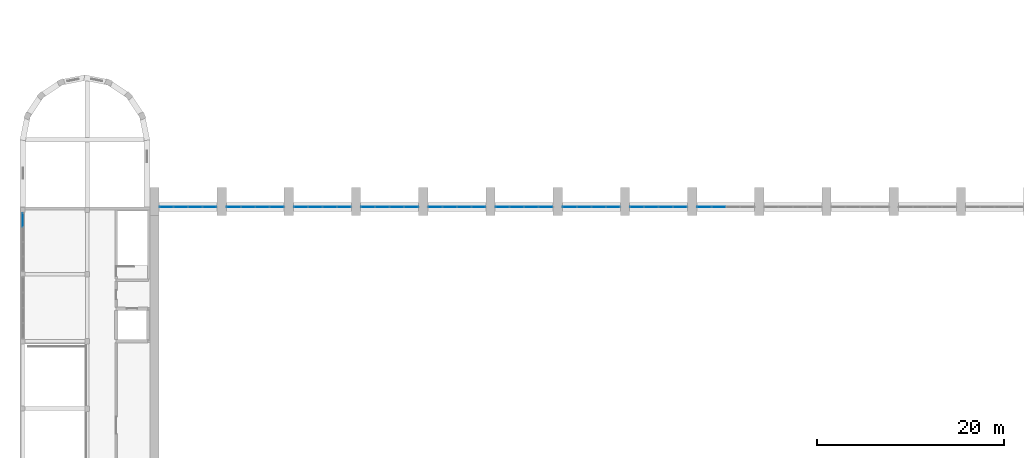
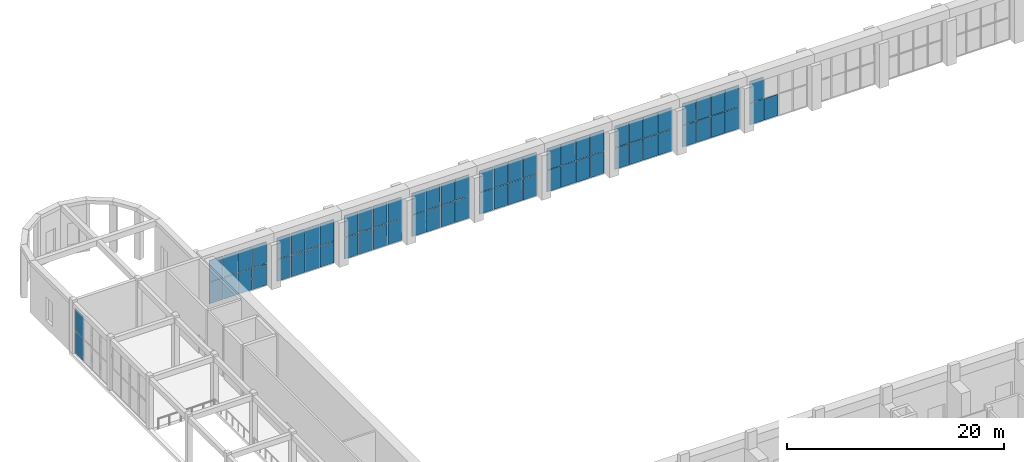
# One storey, part 21 of 44: 69 plates, 10 elements without a shape of their own.
"""IFC4 building model written with IfcOpenShell, lengths in metres."""

from ifc_helpers import new_model, si_unit, direction, frame, origin, origin_2d, place, context, subcontext, project, spatial, rectangle, extrude, material, layer, layer_set, type_object, element, aggregate, save


model = new_model("IFC4")

# Units and contexts
model_context = context("Model", 3, precision=1e-05, world=origin(), true_north=direction((0.0, 1.0)))
body_context = subcontext(model_context, "Body", "Model", "MODEL_VIEW")
ifc_project = project(units=[si_unit("LENGTHUNIT", "METRE"), si_unit("AREAUNIT", "SQUARE_METRE"), si_unit("VOLUMEUNIT", "CUBIC_METRE"), si_unit("PLANEANGLEUNIT", "RADIAN"), si_unit("MASSUNIT", "GRAM", prefix="KILO")], contexts=[model_context])

# Site, building, storey
site_placement = place(None, origin())
site = spatial("IfcSite", under=ifc_project, at=site_placement, CompositionType="ELEMENT")
building_placement = place(site_placement, origin())
building = spatial("IfcBuilding", under=site, at=building_placement, Name="Vermilion Court Aquatics Centre", CompositionType="ELEMENT")
storey_placement = place(building_placement, frame((0.0, 0.0, 6.0)))
storey = spatial("IfcBuildingStorey", under=building, at=storey_placement, Name="L01", CompositionType="ELEMENT", Elevation=6.0)

# Curtain wall, plates
ifc_material_1 = material(Name="Aluminium 6063-T5", Category="aluminium")
curtain_wall_type_1 = type_object("IfcCurtainWallType", Name="Envelope curtain wall hall clerestory L01", PredefinedType="NOTDEFINED", material=ifc_material_1)
curtain_wall_1_placement = place(storey_placement, origin())
curtain_wall_1 = element("IfcCurtainWall", 1, at=curtain_wall_1_placement, inside=storey, type_object=curtain_wall_type_1, Name="Hall clerestory bay 1 L01", PredefinedType="NOTDEFINED")
ifc_material_2 = material(Name="Glazing", Category="glass")
ifc_layer_1 = layer(ifc_material_2, 0.06005859375)
ifc_layer_set_1 = layer_set([ifc_layer_1], Name="Envelope laminated glazing panel 60")
plate_type_1 = type_object("IfcPlateType", Name="Envelope laminated glazing panel 60", PredefinedType="CURTAIN_PANEL", material=ifc_layer_set_1)
plate_1_placement = place(storey_placement, frame((15.68994140625, 64.800048828125, 0.06005859375), z_axis=(0.0, 0.0, 1.0), x_axis=(1.0, 0.0, 0.0)))
plate_1 = element("IfcPlate", 2, at=plate_1_placement, type_object=plate_type_1, Name="ECW2 panel 1.1", PredefinedType="CURTAIN_PANEL", context=body_context, shape_type="SweptSolid", body=[
    extrude(rectangle(XDim=1.4599609375, YDim=0.06005859375, at=origin_2d()), origin(), (0.0, 0.0, 1.0), 2.409912109375),
])
plate_2_placement = place(storey_placement, frame((15.68994140625, 64.800048828125, 2.5302734375), z_axis=(0.0, 0.0, 1.0), x_axis=(1.0, 0.0, 0.0)))
plate_2 = element("IfcPlate", 3, at=plate_2_placement, type_object=plate_type_1, Name="ECW2 panel 1.2", PredefinedType="CURTAIN_PANEL", context=body_context, shape_type="SweptSolid", body=[
    extrude(rectangle(XDim=1.4599609375, YDim=0.06005859375, at=origin_2d()), origin(), (0.0, 0.0, 1.0), 2.409912109375),
])
plate_3_placement = place(storey_placement, frame((17.22509765625, 64.800048828125, 0.06005859375), z_axis=(0.0, 0.0, 1.0), x_axis=(1.0, 0.0, 0.0)))
plate_3 = element("IfcPlate", 4, at=plate_3_placement, type_object=plate_type_1, Name="ECW2 panel 2.1", PredefinedType="CURTAIN_PANEL", context=body_context, shape_type="SweptSolid", body=[
    extrude(rectangle(XDim=1.489990234375, YDim=0.06005859375, at=origin_2d()), origin(), (0.0, 0.0, 1.0), 2.409912109375),
])
plate_4_placement = place(storey_placement, frame((17.22509765625, 64.800048828125, 2.5302734375), z_axis=(0.0, 0.0, 1.0), x_axis=(1.0, 0.0, 0.0)))
plate_4 = element("IfcPlate", 5, at=plate_4_placement, type_object=plate_type_1, Name="ECW2 panel 2.2", PredefinedType="CURTAIN_PANEL", context=body_context, shape_type="SweptSolid", body=[
    extrude(rectangle(XDim=1.489990234375, YDim=0.06005859375, at=origin_2d()), origin(), (0.0, 0.0, 1.0), 2.409912109375),
])
plate_5_placement = place(storey_placement, frame((18.77490234375, 64.800048828125, 0.06005859375), z_axis=(0.0, 0.0, 1.0), x_axis=(1.0, 0.0, 0.0)))
plate_5 = element("IfcPlate", 6, at=plate_5_placement, type_object=plate_type_1, Name="ECW2 panel 3.1", PredefinedType="CURTAIN_PANEL", context=body_context, shape_type="SweptSolid", body=[
    extrude(rectangle(XDim=1.489990234375, YDim=0.06005859375, at=origin_2d()), origin(), (0.0, 0.0, 1.0), 2.409912109375),
])
plate_6_placement = place(storey_placement, frame((18.77490234375, 64.800048828125, 2.5302734375), z_axis=(0.0, 0.0, 1.0), x_axis=(1.0, 0.0, 0.0)))
plate_6 = element("IfcPlate", 7, at=plate_6_placement, type_object=plate_type_1, Name="ECW2 panel 3.2", PredefinedType="CURTAIN_PANEL", context=body_context, shape_type="SweptSolid", body=[
    extrude(rectangle(XDim=1.489990234375, YDim=0.06005859375, at=origin_2d()), origin(), (0.0, 0.0, 1.0), 2.409912109375),
])
plate_7_placement = place(storey_placement, frame((20.31005859375, 64.800048828125, 0.06005859375), z_axis=(0.0, 0.0, 1.0), x_axis=(1.0, 0.0, 0.0)))
plate_7 = element("IfcPlate", 8, at=plate_7_placement, type_object=plate_type_1, Name="ECW2 panel 4.1", PredefinedType="CURTAIN_PANEL", context=body_context, shape_type="SweptSolid", body=[
    extrude(rectangle(XDim=1.4599609375, YDim=0.06005859375, at=origin_2d()), origin(), (0.0, 0.0, 1.0), 2.409912109375),
])
plate_8_placement = place(storey_placement, frame((20.31005859375, 64.800048828125, 2.5302734375), z_axis=(0.0, 0.0, 1.0), x_axis=(1.0, 0.0, 0.0)))
plate_8 = element("IfcPlate", 9, at=plate_8_placement, type_object=plate_type_1, Name="ECW2 panel 4.2", PredefinedType="CURTAIN_PANEL", context=body_context, shape_type="SweptSolid", body=[
    extrude(rectangle(XDim=1.4599609375, YDim=0.06005859375, at=origin_2d()), origin(), (0.0, 0.0, 1.0), 2.409912109375),
])
aggregate(curtain_wall_1, [plate_1, plate_2, plate_3, plate_4, plate_5, plate_6, plate_7, plate_8])

curtain_wall_2_placement = place(storey_placement, origin())
curtain_wall_2 = element("IfcCurtainWall", 10, at=curtain_wall_2_placement, inside=storey, type_object=curtain_wall_type_1, Name="Hall clerestory bay 2 L01", PredefinedType="NOTDEFINED")
plate_9_placement = place(storey_placement, frame((22.889892578125, 64.800048828125, 0.06005859375), z_axis=(0.0, 0.0, 1.0), x_axis=(1.0, 0.0, 0.0)))
plate_9 = element("IfcPlate", 11, at=plate_9_placement, type_object=plate_type_1, Name="ECW2 panel 1.1", PredefinedType="CURTAIN_PANEL", context=body_context, shape_type="SweptSolid", body=[
    extrude(rectangle(XDim=1.4599609375, YDim=0.06005859375, at=origin_2d()), origin(), (0.0, 0.0, 1.0), 2.409912109375),
])
plate_10_placement = place(storey_placement, frame((22.889892578125, 64.800048828125, 2.5302734375), z_axis=(0.0, 0.0, 1.0), x_axis=(1.0, 0.0, 0.0)))
plate_10 = element("IfcPlate", 12, at=plate_10_placement, type_object=plate_type_1, Name="ECW2 panel 1.2", PredefinedType="CURTAIN_PANEL", context=body_context, shape_type="SweptSolid", body=[
    extrude(rectangle(XDim=1.4599609375, YDim=0.06005859375, at=origin_2d()), origin(), (0.0, 0.0, 1.0), 2.409912109375),
])
plate_11_placement = place(storey_placement, frame((24.425048828125, 64.800048828125, 0.06005859375), z_axis=(0.0, 0.0, 1.0), x_axis=(1.0, 0.0, 0.0)))
plate_11 = element("IfcPlate", 13, at=plate_11_placement, type_object=plate_type_1, Name="ECW2 panel 2.1", PredefinedType="CURTAIN_PANEL", context=body_context, shape_type="SweptSolid", body=[
    extrude(rectangle(XDim=1.489990234375, YDim=0.06005859375, at=origin_2d()), origin(), (0.0, 0.0, 1.0), 2.409912109375),
])
plate_12_placement = place(storey_placement, frame((24.425048828125, 64.800048828125, 2.5302734375), z_axis=(0.0, 0.0, 1.0), x_axis=(1.0, 0.0, 0.0)))
plate_12 = element("IfcPlate", 14, at=plate_12_placement, type_object=plate_type_1, Name="ECW2 panel 2.2", PredefinedType="CURTAIN_PANEL", context=body_context, shape_type="SweptSolid", body=[
    extrude(rectangle(XDim=1.489990234375, YDim=0.06005859375, at=origin_2d()), origin(), (0.0, 0.0, 1.0), 2.409912109375),
])
plate_13_placement = place(storey_placement, frame((25.97509765625, 64.800048828125, 0.06005859375), z_axis=(0.0, 0.0, 1.0), x_axis=(1.0, 0.0, 0.0)))
plate_13 = element("IfcPlate", 15, at=plate_13_placement, type_object=plate_type_1, Name="ECW2 panel 3.1", PredefinedType="CURTAIN_PANEL", context=body_context, shape_type="SweptSolid", body=[
    extrude(rectangle(XDim=1.489990234375, YDim=0.06005859375, at=origin_2d()), origin(), (0.0, 0.0, 1.0), 2.409912109375),
])
plate_14_placement = place(storey_placement, frame((25.97509765625, 64.800048828125, 2.5302734375), z_axis=(0.0, 0.0, 1.0), x_axis=(1.0, 0.0, 0.0)))
plate_14 = element("IfcPlate", 16, at=plate_14_placement, type_object=plate_type_1, Name="ECW2 panel 3.2", PredefinedType="CURTAIN_PANEL", context=body_context, shape_type="SweptSolid", body=[
    extrude(rectangle(XDim=1.489990234375, YDim=0.06005859375, at=origin_2d()), origin(), (0.0, 0.0, 1.0), 2.409912109375),
])
plate_15_placement = place(storey_placement, frame((27.510009765625, 64.800048828125, 0.06005859375), z_axis=(0.0, 0.0, 1.0), x_axis=(1.0, 0.0, 0.0)))
plate_15 = element("IfcPlate", 17, at=plate_15_placement, type_object=plate_type_1, Name="ECW2 panel 4.1", PredefinedType="CURTAIN_PANEL", context=body_context, shape_type="SweptSolid", body=[
    extrude(rectangle(XDim=1.4599609375, YDim=0.06005859375, at=origin_2d()), origin(), (0.0, 0.0, 1.0), 2.409912109375),
])
plate_16_placement = place(storey_placement, frame((27.510009765625, 64.800048828125, 2.5302734375), z_axis=(0.0, 0.0, 1.0), x_axis=(1.0, 0.0, 0.0)))
plate_16 = element("IfcPlate", 18, at=plate_16_placement, type_object=plate_type_1, Name="ECW2 panel 4.2", PredefinedType="CURTAIN_PANEL", context=body_context, shape_type="SweptSolid", body=[
    extrude(rectangle(XDim=1.4599609375, YDim=0.06005859375, at=origin_2d()), origin(), (0.0, 0.0, 1.0), 2.409912109375),
])
aggregate(curtain_wall_2, [plate_9, plate_10, plate_11, plate_12, plate_13, plate_14, plate_15, plate_16])

curtain_wall_3_placement = place(storey_placement, origin())
curtain_wall_3 = element("IfcCurtainWall", 19, at=curtain_wall_3_placement, inside=storey, type_object=curtain_wall_type_1, Name="Hall clerestory bay 3 L01", PredefinedType="NOTDEFINED")
plate_17_placement = place(storey_placement, frame((30.090087890625, 64.800048828125, 0.06005859375), z_axis=(0.0, 0.0, 1.0), x_axis=(1.0, 0.0, 0.0)))
plate_17 = element("IfcPlate", 20, at=plate_17_placement, type_object=plate_type_1, Name="ECW2 panel 1.1", PredefinedType="CURTAIN_PANEL", context=body_context, shape_type="SweptSolid", body=[
    extrude(rectangle(XDim=1.4599609375, YDim=0.06005859375, at=origin_2d()), origin(), (0.0, 0.0, 1.0), 2.409912109375),
])
plate_18_placement = place(storey_placement, frame((30.090087890625, 64.800048828125, 2.5302734375), z_axis=(0.0, 0.0, 1.0), x_axis=(1.0, 0.0, 0.0)))
plate_18 = element("IfcPlate", 21, at=plate_18_placement, type_object=plate_type_1, Name="ECW2 panel 1.2", PredefinedType="CURTAIN_PANEL", context=body_context, shape_type="SweptSolid", body=[
    extrude(rectangle(XDim=1.4599609375, YDim=0.06005859375, at=origin_2d()), origin(), (0.0, 0.0, 1.0), 2.409912109375),
])
plate_19_placement = place(storey_placement, frame((31.625, 64.800048828125, 0.06005859375), z_axis=(0.0, 0.0, 1.0), x_axis=(1.0, 0.0, 0.0)))
plate_19 = element("IfcPlate", 22, at=plate_19_placement, type_object=plate_type_1, Name="ECW2 panel 2.1", PredefinedType="CURTAIN_PANEL", context=body_context, shape_type="SweptSolid", body=[
    extrude(rectangle(XDim=1.489990234375, YDim=0.06005859375, at=origin_2d()), origin(), (0.0, 0.0, 1.0), 2.409912109375),
])
plate_20_placement = place(storey_placement, frame((31.625, 64.800048828125, 2.5302734375), z_axis=(0.0, 0.0, 1.0), x_axis=(1.0, 0.0, 0.0)))
plate_20 = element("IfcPlate", 23, at=plate_20_placement, type_object=plate_type_1, Name="ECW2 panel 2.2", PredefinedType="CURTAIN_PANEL", context=body_context, shape_type="SweptSolid", body=[
    extrude(rectangle(XDim=1.489990234375, YDim=0.06005859375, at=origin_2d()), origin(), (0.0, 0.0, 1.0), 2.409912109375),
])
plate_21_placement = place(storey_placement, frame((33.175048828125, 64.800048828125, 0.06005859375), z_axis=(0.0, 0.0, 1.0), x_axis=(1.0, 0.0, 0.0)))
plate_21 = element("IfcPlate", 24, at=plate_21_placement, type_object=plate_type_1, Name="ECW2 panel 3.1", PredefinedType="CURTAIN_PANEL", context=body_context, shape_type="SweptSolid", body=[
    extrude(rectangle(XDim=1.489990234375, YDim=0.06005859375, at=origin_2d()), origin(), (0.0, 0.0, 1.0), 2.409912109375),
])
plate_22_placement = place(storey_placement, frame((33.175048828125, 64.800048828125, 2.5302734375), z_axis=(0.0, 0.0, 1.0), x_axis=(1.0, 0.0, 0.0)))
plate_22 = element("IfcPlate", 25, at=plate_22_placement, type_object=plate_type_1, Name="ECW2 panel 3.2", PredefinedType="CURTAIN_PANEL", context=body_context, shape_type="SweptSolid", body=[
    extrude(rectangle(XDim=1.489990234375, YDim=0.06005859375, at=origin_2d()), origin(), (0.0, 0.0, 1.0), 2.409912109375),
])
plate_23_placement = place(storey_placement, frame((34.7099609375, 64.800048828125, 0.06005859375), z_axis=(0.0, 0.0, 1.0), x_axis=(1.0, 0.0, 0.0)))
plate_23 = element("IfcPlate", 26, at=plate_23_placement, type_object=plate_type_1, Name="ECW2 panel 4.1", PredefinedType="CURTAIN_PANEL", context=body_context, shape_type="SweptSolid", body=[
    extrude(rectangle(XDim=1.4599609375, YDim=0.06005859375, at=origin_2d()), origin(), (0.0, 0.0, 1.0), 2.409912109375),
])
plate_24_placement = place(storey_placement, frame((34.7099609375, 64.800048828125, 2.5302734375), z_axis=(0.0, 0.0, 1.0), x_axis=(1.0, 0.0, 0.0)))
plate_24 = element("IfcPlate", 27, at=plate_24_placement, type_object=plate_type_1, Name="ECW2 panel 4.2", PredefinedType="CURTAIN_PANEL", context=body_context, shape_type="SweptSolid", body=[
    extrude(rectangle(XDim=1.4599609375, YDim=0.06005859375, at=origin_2d()), origin(), (0.0, 0.0, 1.0), 2.409912109375),
])
aggregate(curtain_wall_3, [plate_17, plate_18, plate_19, plate_20, plate_21, plate_22, plate_23, plate_24])

curtain_wall_4_placement = place(storey_placement, origin())
curtain_wall_4 = element("IfcCurtainWall", 28, at=curtain_wall_4_placement, inside=storey, type_object=curtain_wall_type_1, Name="Hall clerestory bay 4 L01", PredefinedType="NOTDEFINED")
plate_25_placement = place(storey_placement, frame((37.2900390625, 64.800048828125, 0.06005859375), z_axis=(0.0, 0.0, 1.0), x_axis=(1.0, 0.0, 0.0)))
plate_25 = element("IfcPlate", 29, at=plate_25_placement, type_object=plate_type_1, Name="ECW2 panel 1.1", PredefinedType="CURTAIN_PANEL", context=body_context, shape_type="SweptSolid", body=[
    extrude(rectangle(XDim=1.4599609375, YDim=0.06005859375, at=origin_2d()), origin(), (0.0, 0.0, 1.0), 2.409912109375),
])
plate_26_placement = place(storey_placement, frame((37.2900390625, 64.800048828125, 2.5302734375), z_axis=(0.0, 0.0, 1.0), x_axis=(1.0, 0.0, 0.0)))
plate_26 = element("IfcPlate", 30, at=plate_26_placement, type_object=plate_type_1, Name="ECW2 panel 1.2", PredefinedType="CURTAIN_PANEL", context=body_context, shape_type="SweptSolid", body=[
    extrude(rectangle(XDim=1.4599609375, YDim=0.06005859375, at=origin_2d()), origin(), (0.0, 0.0, 1.0), 2.409912109375),
])
plate_27_placement = place(storey_placement, frame((38.824951171875, 64.800048828125, 0.06005859375), z_axis=(0.0, 0.0, 1.0), x_axis=(1.0, 0.0, 0.0)))
plate_27 = element("IfcPlate", 31, at=plate_27_placement, type_object=plate_type_1, Name="ECW2 panel 2.1", PredefinedType="CURTAIN_PANEL", context=body_context, shape_type="SweptSolid", body=[
    extrude(rectangle(XDim=1.489990234375, YDim=0.06005859375, at=origin_2d()), origin(), (0.0, 0.0, 1.0), 2.409912109375),
])
plate_28_placement = place(storey_placement, frame((38.824951171875, 64.800048828125, 2.5302734375), z_axis=(0.0, 0.0, 1.0), x_axis=(1.0, 0.0, 0.0)))
plate_28 = element("IfcPlate", 32, at=plate_28_placement, type_object=plate_type_1, Name="ECW2 panel 2.2", PredefinedType="CURTAIN_PANEL", context=body_context, shape_type="SweptSolid", body=[
    extrude(rectangle(XDim=1.489990234375, YDim=0.06005859375, at=origin_2d()), origin(), (0.0, 0.0, 1.0), 2.409912109375),
])
plate_29_placement = place(storey_placement, frame((40.375, 64.800048828125, 0.06005859375), z_axis=(0.0, 0.0, 1.0), x_axis=(1.0, 0.0, 0.0)))
plate_29 = element("IfcPlate", 33, at=plate_29_placement, type_object=plate_type_1, Name="ECW2 panel 3.1", PredefinedType="CURTAIN_PANEL", context=body_context, shape_type="SweptSolid", body=[
    extrude(rectangle(XDim=1.489990234375, YDim=0.06005859375, at=origin_2d()), origin(), (0.0, 0.0, 1.0), 2.409912109375),
])
plate_30_placement = place(storey_placement, frame((40.375, 64.800048828125, 2.5302734375), z_axis=(0.0, 0.0, 1.0), x_axis=(1.0, 0.0, 0.0)))
plate_30 = element("IfcPlate", 34, at=plate_30_placement, type_object=plate_type_1, Name="ECW2 panel 3.2", PredefinedType="CURTAIN_PANEL", context=body_context, shape_type="SweptSolid", body=[
    extrude(rectangle(XDim=1.489990234375, YDim=0.06005859375, at=origin_2d()), origin(), (0.0, 0.0, 1.0), 2.409912109375),
])
plate_31_placement = place(storey_placement, frame((41.909912109375, 64.800048828125, 0.06005859375), z_axis=(0.0, 0.0, 1.0), x_axis=(1.0, 0.0, 0.0)))
plate_31 = element("IfcPlate", 35, at=plate_31_placement, type_object=plate_type_1, Name="ECW2 panel 4.1", PredefinedType="CURTAIN_PANEL", context=body_context, shape_type="SweptSolid", body=[
    extrude(rectangle(XDim=1.4599609375, YDim=0.06005859375, at=origin_2d()), origin(), (0.0, 0.0, 1.0), 2.409912109375),
])
plate_32_placement = place(storey_placement, frame((41.909912109375, 64.800048828125, 2.5302734375), z_axis=(0.0, 0.0, 1.0), x_axis=(1.0, 0.0, 0.0)))
plate_32 = element("IfcPlate", 36, at=plate_32_placement, type_object=plate_type_1, Name="ECW2 panel 4.2", PredefinedType="CURTAIN_PANEL", context=body_context, shape_type="SweptSolid", body=[
    extrude(rectangle(XDim=1.4599609375, YDim=0.06005859375, at=origin_2d()), origin(), (0.0, 0.0, 1.0), 2.409912109375),
])
aggregate(curtain_wall_4, [plate_25, plate_26, plate_27, plate_28, plate_29, plate_30, plate_31, plate_32])

curtain_wall_5_placement = place(storey_placement, origin())
curtain_wall_5 = element("IfcCurtainWall", 37, at=curtain_wall_5_placement, inside=storey, type_object=curtain_wall_type_1, Name="Hall clerestory bay 5 L01", PredefinedType="NOTDEFINED")
plate_33_placement = place(storey_placement, frame((44.489990234375, 64.800048828125, 0.06005859375), z_axis=(0.0, 0.0, 1.0), x_axis=(1.0, 0.0, 0.0)))
plate_33 = element("IfcPlate", 38, at=plate_33_placement, type_object=plate_type_1, Name="ECW2 panel 1.1", PredefinedType="CURTAIN_PANEL", context=body_context, shape_type="SweptSolid", body=[
    extrude(rectangle(XDim=1.4599609375, YDim=0.06005859375, at=origin_2d()), origin(), (0.0, 0.0, 1.0), 2.409912109375),
])
plate_34_placement = place(storey_placement, frame((44.489990234375, 64.800048828125, 2.5302734375), z_axis=(0.0, 0.0, 1.0), x_axis=(1.0, 0.0, 0.0)))
plate_34 = element("IfcPlate", 39, at=plate_34_placement, type_object=plate_type_1, Name="ECW2 panel 1.2", PredefinedType="CURTAIN_PANEL", context=body_context, shape_type="SweptSolid", body=[
    extrude(rectangle(XDim=1.4599609375, YDim=0.06005859375, at=origin_2d()), origin(), (0.0, 0.0, 1.0), 2.409912109375),
])
plate_35_placement = place(storey_placement, frame((46.02490234375, 64.800048828125, 0.06005859375), z_axis=(0.0, 0.0, 1.0), x_axis=(1.0, 0.0, 0.0)))
plate_35 = element("IfcPlate", 40, at=plate_35_placement, type_object=plate_type_1, Name="ECW2 panel 2.1", PredefinedType="CURTAIN_PANEL", context=body_context, shape_type="SweptSolid", body=[
    extrude(rectangle(XDim=1.489990234375, YDim=0.06005859375, at=origin_2d()), origin(), (0.0, 0.0, 1.0), 2.409912109375),
])
plate_36_placement = place(storey_placement, frame((46.02490234375, 64.800048828125, 2.5302734375), z_axis=(0.0, 0.0, 1.0), x_axis=(1.0, 0.0, 0.0)))
plate_36 = element("IfcPlate", 41, at=plate_36_placement, type_object=plate_type_1, Name="ECW2 panel 2.2", PredefinedType="CURTAIN_PANEL", context=body_context, shape_type="SweptSolid", body=[
    extrude(rectangle(XDim=1.489990234375, YDim=0.06005859375, at=origin_2d()), origin(), (0.0, 0.0, 1.0), 2.409912109375),
])
plate_37_placement = place(storey_placement, frame((47.574951171875, 64.800048828125, 0.06005859375), z_axis=(0.0, 0.0, 1.0), x_axis=(1.0, 0.0, 0.0)))
plate_37 = element("IfcPlate", 42, at=plate_37_placement, type_object=plate_type_1, Name="ECW2 panel 3.1", PredefinedType="CURTAIN_PANEL", context=body_context, shape_type="SweptSolid", body=[
    extrude(rectangle(XDim=1.489990234375, YDim=0.06005859375, at=origin_2d()), origin(), (0.0, 0.0, 1.0), 2.409912109375),
])
plate_38_placement = place(storey_placement, frame((47.574951171875, 64.800048828125, 2.5302734375), z_axis=(0.0, 0.0, 1.0), x_axis=(1.0, 0.0, 0.0)))
plate_38 = element("IfcPlate", 43, at=plate_38_placement, type_object=plate_type_1, Name="ECW2 panel 3.2", PredefinedType="CURTAIN_PANEL", context=body_context, shape_type="SweptSolid", body=[
    extrude(rectangle(XDim=1.489990234375, YDim=0.06005859375, at=origin_2d()), origin(), (0.0, 0.0, 1.0), 2.409912109375),
])
plate_39_placement = place(storey_placement, frame((49.110107421875, 64.800048828125, 0.06005859375), z_axis=(0.0, 0.0, 1.0), x_axis=(1.0, 0.0, 0.0)))
plate_39 = element("IfcPlate", 44, at=plate_39_placement, type_object=plate_type_1, Name="ECW2 panel 4.1", PredefinedType="CURTAIN_PANEL", context=body_context, shape_type="SweptSolid", body=[
    extrude(rectangle(XDim=1.4599609375, YDim=0.06005859375, at=origin_2d()), origin(), (0.0, 0.0, 1.0), 2.409912109375),
])
plate_40_placement = place(storey_placement, frame((49.110107421875, 64.800048828125, 2.5302734375), z_axis=(0.0, 0.0, 1.0), x_axis=(1.0, 0.0, 0.0)))
plate_40 = element("IfcPlate", 45, at=plate_40_placement, type_object=plate_type_1, Name="ECW2 panel 4.2", PredefinedType="CURTAIN_PANEL", context=body_context, shape_type="SweptSolid", body=[
    extrude(rectangle(XDim=1.4599609375, YDim=0.06005859375, at=origin_2d()), origin(), (0.0, 0.0, 1.0), 2.409912109375),
])
aggregate(curtain_wall_5, [plate_33, plate_34, plate_35, plate_36, plate_37, plate_38, plate_39, plate_40])

curtain_wall_6_placement = place(storey_placement, origin())
curtain_wall_6 = element("IfcCurtainWall", 46, at=curtain_wall_6_placement, inside=storey, type_object=curtain_wall_type_1, Name="Hall clerestory bay 6 L01", PredefinedType="NOTDEFINED")
plate_41_placement = place(storey_placement, frame((51.68994140625, 64.800048828125, 0.06005859375), z_axis=(0.0, 0.0, 1.0), x_axis=(1.0, 0.0, 0.0)))
plate_41 = element("IfcPlate", 47, at=plate_41_placement, type_object=plate_type_1, Name="ECW2 panel 1.1", PredefinedType="CURTAIN_PANEL", context=body_context, shape_type="SweptSolid", body=[
    extrude(rectangle(XDim=1.4599609375, YDim=0.06005859375, at=origin_2d()), origin(), (0.0, 0.0, 1.0), 2.409912109375),
])
plate_42_placement = place(storey_placement, frame((51.68994140625, 64.800048828125, 2.5302734375), z_axis=(0.0, 0.0, 1.0), x_axis=(1.0, 0.0, 0.0)))
plate_42 = element("IfcPlate", 48, at=plate_42_placement, type_object=plate_type_1, Name="ECW2 panel 1.2", PredefinedType="CURTAIN_PANEL", context=body_context, shape_type="SweptSolid", body=[
    extrude(rectangle(XDim=1.4599609375, YDim=0.06005859375, at=origin_2d()), origin(), (0.0, 0.0, 1.0), 2.409912109375),
])
plate_43_placement = place(storey_placement, frame((53.22509765625, 64.800048828125, 0.06005859375), z_axis=(0.0, 0.0, 1.0), x_axis=(1.0, 0.0, 0.0)))
plate_43 = element("IfcPlate", 49, at=plate_43_placement, type_object=plate_type_1, Name="ECW2 panel 2.1", PredefinedType="CURTAIN_PANEL", context=body_context, shape_type="SweptSolid", body=[
    extrude(rectangle(XDim=1.489990234375, YDim=0.06005859375, at=origin_2d()), origin(), (0.0, 0.0, 1.0), 2.409912109375),
])
plate_44_placement = place(storey_placement, frame((53.22509765625, 64.800048828125, 2.5302734375), z_axis=(0.0, 0.0, 1.0), x_axis=(1.0, 0.0, 0.0)))
plate_44 = element("IfcPlate", 50, at=plate_44_placement, type_object=plate_type_1, Name="ECW2 panel 2.2", PredefinedType="CURTAIN_PANEL", context=body_context, shape_type="SweptSolid", body=[
    extrude(rectangle(XDim=1.489990234375, YDim=0.06005859375, at=origin_2d()), origin(), (0.0, 0.0, 1.0), 2.409912109375),
])
plate_45_placement = place(storey_placement, frame((54.77490234375, 64.800048828125, 0.06005859375), z_axis=(0.0, 0.0, 1.0), x_axis=(1.0, 0.0, 0.0)))
plate_45 = element("IfcPlate", 51, at=plate_45_placement, type_object=plate_type_1, Name="ECW2 panel 3.1", PredefinedType="CURTAIN_PANEL", context=body_context, shape_type="SweptSolid", body=[
    extrude(rectangle(XDim=1.489990234375, YDim=0.06005859375, at=origin_2d()), origin(), (0.0, 0.0, 1.0), 2.409912109375),
])
plate_46_placement = place(storey_placement, frame((54.77490234375, 64.800048828125, 2.5302734375), z_axis=(0.0, 0.0, 1.0), x_axis=(1.0, 0.0, 0.0)))
plate_46 = element("IfcPlate", 52, at=plate_46_placement, type_object=plate_type_1, Name="ECW2 panel 3.2", PredefinedType="CURTAIN_PANEL", context=body_context, shape_type="SweptSolid", body=[
    extrude(rectangle(XDim=1.489990234375, YDim=0.06005859375, at=origin_2d()), origin(), (0.0, 0.0, 1.0), 2.409912109375),
])
plate_47_placement = place(storey_placement, frame((56.31005859375, 64.800048828125, 0.06005859375), z_axis=(0.0, 0.0, 1.0), x_axis=(1.0, 0.0, 0.0)))
plate_47 = element("IfcPlate", 53, at=plate_47_placement, type_object=plate_type_1, Name="ECW2 panel 4.1", PredefinedType="CURTAIN_PANEL", context=body_context, shape_type="SweptSolid", body=[
    extrude(rectangle(XDim=1.4599609375, YDim=0.06005859375, at=origin_2d()), origin(), (0.0, 0.0, 1.0), 2.409912109375),
])
plate_48_placement = place(storey_placement, frame((56.31005859375, 64.800048828125, 2.5302734375), z_axis=(0.0, 0.0, 1.0), x_axis=(1.0, 0.0, 0.0)))
plate_48 = element("IfcPlate", 54, at=plate_48_placement, type_object=plate_type_1, Name="ECW2 panel 4.2", PredefinedType="CURTAIN_PANEL", context=body_context, shape_type="SweptSolid", body=[
    extrude(rectangle(XDim=1.4599609375, YDim=0.06005859375, at=origin_2d()), origin(), (0.0, 0.0, 1.0), 2.409912109375),
])
aggregate(curtain_wall_6, [plate_41, plate_42, plate_43, plate_44, plate_45, plate_46, plate_47, plate_48])

curtain_wall_7_placement = place(storey_placement, origin())
curtain_wall_7 = element("IfcCurtainWall", 55, at=curtain_wall_7_placement, inside=storey, type_object=curtain_wall_type_1, Name="Hall clerestory bay 7 L01", PredefinedType="NOTDEFINED")
plate_49_placement = place(storey_placement, frame((58.889892578125, 64.800048828125, 0.06005859375), z_axis=(0.0, 0.0, 1.0), x_axis=(1.0, 0.0, 0.0)))
plate_49 = element("IfcPlate", 56, at=plate_49_placement, type_object=plate_type_1, Name="ECW2 panel 1.1", PredefinedType="CURTAIN_PANEL", context=body_context, shape_type="SweptSolid", body=[
    extrude(rectangle(XDim=1.4599609375, YDim=0.06005859375, at=origin_2d()), origin(), (0.0, 0.0, 1.0), 2.409912109375),
])
plate_50_placement = place(storey_placement, frame((58.889892578125, 64.800048828125, 2.5302734375), z_axis=(0.0, 0.0, 1.0), x_axis=(1.0, 0.0, 0.0)))
plate_50 = element("IfcPlate", 57, at=plate_50_placement, type_object=plate_type_1, Name="ECW2 panel 1.2", PredefinedType="CURTAIN_PANEL", context=body_context, shape_type="SweptSolid", body=[
    extrude(rectangle(XDim=1.4599609375, YDim=0.06005859375, at=origin_2d()), origin(), (0.0, 0.0, 1.0), 2.409912109375),
])
plate_51_placement = place(storey_placement, frame((60.425048828125, 64.800048828125, 0.06005859375), z_axis=(0.0, 0.0, 1.0), x_axis=(1.0, 0.0, 0.0)))
plate_51 = element("IfcPlate", 58, at=plate_51_placement, type_object=plate_type_1, Name="ECW2 panel 2.1", PredefinedType="CURTAIN_PANEL", context=body_context, shape_type="SweptSolid", body=[
    extrude(rectangle(XDim=1.489990234375, YDim=0.06005859375, at=origin_2d()), origin(), (0.0, 0.0, 1.0), 2.409912109375),
])
plate_52_placement = place(storey_placement, frame((60.425048828125, 64.800048828125, 2.5302734375), z_axis=(0.0, 0.0, 1.0), x_axis=(1.0, 0.0, 0.0)))
plate_52 = element("IfcPlate", 59, at=plate_52_placement, type_object=plate_type_1, Name="ECW2 panel 2.2", PredefinedType="CURTAIN_PANEL", context=body_context, shape_type="SweptSolid", body=[
    extrude(rectangle(XDim=1.489990234375, YDim=0.06005859375, at=origin_2d()), origin(), (0.0, 0.0, 1.0), 2.409912109375),
])
plate_53_placement = place(storey_placement, frame((61.97509765625, 64.800048828125, 0.06005859375), z_axis=(0.0, 0.0, 1.0), x_axis=(1.0, 0.0, 0.0)))
plate_53 = element("IfcPlate", 60, at=plate_53_placement, type_object=plate_type_1, Name="ECW2 panel 3.1", PredefinedType="CURTAIN_PANEL", context=body_context, shape_type="SweptSolid", body=[
    extrude(rectangle(XDim=1.489990234375, YDim=0.06005859375, at=origin_2d()), origin(), (0.0, 0.0, 1.0), 2.409912109375),
])
plate_54_placement = place(storey_placement, frame((61.97509765625, 64.800048828125, 2.5302734375), z_axis=(0.0, 0.0, 1.0), x_axis=(1.0, 0.0, 0.0)))
plate_54 = element("IfcPlate", 61, at=plate_54_placement, type_object=plate_type_1, Name="ECW2 panel 3.2", PredefinedType="CURTAIN_PANEL", context=body_context, shape_type="SweptSolid", body=[
    extrude(rectangle(XDim=1.489990234375, YDim=0.06005859375, at=origin_2d()), origin(), (0.0, 0.0, 1.0), 2.409912109375),
])
plate_55_placement = place(storey_placement, frame((63.510009765625, 64.800048828125, 0.06005859375), z_axis=(0.0, 0.0, 1.0), x_axis=(1.0, 0.0, 0.0)))
plate_55 = element("IfcPlate", 62, at=plate_55_placement, type_object=plate_type_1, Name="ECW2 panel 4.1", PredefinedType="CURTAIN_PANEL", context=body_context, shape_type="SweptSolid", body=[
    extrude(rectangle(XDim=1.4599609375, YDim=0.06005859375, at=origin_2d()), origin(), (0.0, 0.0, 1.0), 2.409912109375),
])
plate_56_placement = place(storey_placement, frame((63.510009765625, 64.800048828125, 2.5302734375), z_axis=(0.0, 0.0, 1.0), x_axis=(1.0, 0.0, 0.0)))
plate_56 = element("IfcPlate", 63, at=plate_56_placement, type_object=plate_type_1, Name="ECW2 panel 4.2", PredefinedType="CURTAIN_PANEL", context=body_context, shape_type="SweptSolid", body=[
    extrude(rectangle(XDim=1.4599609375, YDim=0.06005859375, at=origin_2d()), origin(), (0.0, 0.0, 1.0), 2.409912109375),
])
aggregate(curtain_wall_7, [plate_49, plate_50, plate_51, plate_52, plate_53, plate_54, plate_55, plate_56])

curtain_wall_8_placement = place(storey_placement, origin())
curtain_wall_8 = element("IfcCurtainWall", 64, at=curtain_wall_8_placement, inside=storey, type_object=curtain_wall_type_1, Name="Hall clerestory bay 8 L01", PredefinedType="NOTDEFINED")
plate_57_placement = place(storey_placement, frame((66.090087890625, 64.800048828125, 0.06005859375), z_axis=(0.0, 0.0, 1.0), x_axis=(1.0, 0.0, 0.0)))
plate_57 = element("IfcPlate", 65, at=plate_57_placement, type_object=plate_type_1, Name="ECW2 panel 1.1", PredefinedType="CURTAIN_PANEL", context=body_context, shape_type="SweptSolid", body=[
    extrude(rectangle(XDim=1.4599609375, YDim=0.06005859375, at=origin_2d()), origin(), (0.0, 0.0, 1.0), 2.409912109375),
])
plate_58_placement = place(storey_placement, frame((66.090087890625, 64.800048828125, 2.5302734375), z_axis=(0.0, 0.0, 1.0), x_axis=(1.0, 0.0, 0.0)))
plate_58 = element("IfcPlate", 66, at=plate_58_placement, type_object=plate_type_1, Name="ECW2 panel 1.2", PredefinedType="CURTAIN_PANEL", context=body_context, shape_type="SweptSolid", body=[
    extrude(rectangle(XDim=1.4599609375, YDim=0.06005859375, at=origin_2d()), origin(), (0.0, 0.0, 1.0), 2.409912109375),
])
plate_59_placement = place(storey_placement, frame((67.625, 64.800048828125, 0.06005859375), z_axis=(0.0, 0.0, 1.0), x_axis=(1.0, 0.0, 0.0)))
plate_59 = element("IfcPlate", 67, at=plate_59_placement, type_object=plate_type_1, Name="ECW2 panel 2.1", PredefinedType="CURTAIN_PANEL", context=body_context, shape_type="SweptSolid", body=[
    extrude(rectangle(XDim=1.489990234375, YDim=0.06005859375, at=origin_2d()), origin(), (0.0, 0.0, 1.0), 2.409912109375),
])
plate_60_placement = place(storey_placement, frame((67.625, 64.800048828125, 2.5302734375), z_axis=(0.0, 0.0, 1.0), x_axis=(1.0, 0.0, 0.0)))
plate_60 = element("IfcPlate", 68, at=plate_60_placement, type_object=plate_type_1, Name="ECW2 panel 2.2", PredefinedType="CURTAIN_PANEL", context=body_context, shape_type="SweptSolid", body=[
    extrude(rectangle(XDim=1.489990234375, YDim=0.06005859375, at=origin_2d()), origin(), (0.0, 0.0, 1.0), 2.409912109375),
])
plate_61_placement = place(storey_placement, frame((69.175048828125, 64.800048828125, 0.06005859375), z_axis=(0.0, 0.0, 1.0), x_axis=(1.0, 0.0, 0.0)))
plate_61 = element("IfcPlate", 69, at=plate_61_placement, type_object=plate_type_1, Name="ECW2 panel 3.1", PredefinedType="CURTAIN_PANEL", context=body_context, shape_type="SweptSolid", body=[
    extrude(rectangle(XDim=1.489990234375, YDim=0.06005859375, at=origin_2d()), origin(), (0.0, 0.0, 1.0), 2.409912109375),
])
plate_62_placement = place(storey_placement, frame((69.175048828125, 64.800048828125, 2.5302734375), z_axis=(0.0, 0.0, 1.0), x_axis=(1.0, 0.0, 0.0)))
plate_62 = element("IfcPlate", 70, at=plate_62_placement, type_object=plate_type_1, Name="ECW2 panel 3.2", PredefinedType="CURTAIN_PANEL", context=body_context, shape_type="SweptSolid", body=[
    extrude(rectangle(XDim=1.489990234375, YDim=0.06005859375, at=origin_2d()), origin(), (0.0, 0.0, 1.0), 2.409912109375),
])
plate_63_placement = place(storey_placement, frame((70.7099609375, 64.800048828125, 0.06005859375), z_axis=(0.0, 0.0, 1.0), x_axis=(1.0, 0.0, 0.0)))
plate_63 = element("IfcPlate", 71, at=plate_63_placement, type_object=plate_type_1, Name="ECW2 panel 4.1", PredefinedType="CURTAIN_PANEL", context=body_context, shape_type="SweptSolid", body=[
    extrude(rectangle(XDim=1.4599609375, YDim=0.06005859375, at=origin_2d()), origin(), (0.0, 0.0, 1.0), 2.409912109375),
])
plate_64_placement = place(storey_placement, frame((70.7099609375, 64.800048828125, 2.5302734375), z_axis=(0.0, 0.0, 1.0), x_axis=(1.0, 0.0, 0.0)))
plate_64 = element("IfcPlate", 72, at=plate_64_placement, type_object=plate_type_1, Name="ECW2 panel 4.2", PredefinedType="CURTAIN_PANEL", context=body_context, shape_type="SweptSolid", body=[
    extrude(rectangle(XDim=1.4599609375, YDim=0.06005859375, at=origin_2d()), origin(), (0.0, 0.0, 1.0), 2.409912109375),
])
aggregate(curtain_wall_8, [plate_57, plate_58, plate_59, plate_60, plate_61, plate_62, plate_63, plate_64])

curtain_wall_9_placement = place(storey_placement, origin())
curtain_wall_9 = element("IfcCurtainWall", 73, at=curtain_wall_9_placement, inside=storey, type_object=curtain_wall_type_1, Name="Hall clerestory bay 9 L01", PredefinedType="NOTDEFINED")
plate_65_placement = place(storey_placement, frame((73.2900390625, 64.800048828125, 0.06005859375), z_axis=(0.0, 0.0, 1.0), x_axis=(1.0, 0.0, 0.0)))
plate_65 = element("IfcPlate", 74, at=plate_65_placement, type_object=plate_type_1, Name="ECW2 panel 1.1", PredefinedType="CURTAIN_PANEL", context=body_context, shape_type="SweptSolid", body=[
    extrude(rectangle(XDim=1.4599609375, YDim=0.06005859375, at=origin_2d()), origin(), (0.0, 0.0, 1.0), 2.409912109375),
])
plate_66_placement = place(storey_placement, frame((73.2900390625, 64.800048828125, 2.5302734375), z_axis=(0.0, 0.0, 1.0), x_axis=(1.0, 0.0, 0.0)))
plate_66 = element("IfcPlate", 75, at=plate_66_placement, type_object=plate_type_1, Name="ECW2 panel 1.2", PredefinedType="CURTAIN_PANEL", context=body_context, shape_type="SweptSolid", body=[
    extrude(rectangle(XDim=1.4599609375, YDim=0.06005859375, at=origin_2d()), origin(), (0.0, 0.0, 1.0), 2.409912109375),
])
plate_67_placement = place(storey_placement, frame((74.824951171875, 64.800048828125, 0.06005859375), z_axis=(0.0, 0.0, 1.0), x_axis=(1.0, 0.0, 0.0)))
plate_67 = element("IfcPlate", 76, at=plate_67_placement, type_object=plate_type_1, Name="ECW2 panel 2.1", PredefinedType="CURTAIN_PANEL", context=body_context, shape_type="SweptSolid", body=[
    extrude(rectangle(XDim=1.489990234375, YDim=0.06005859375, at=origin_2d()), origin(), (0.0, 0.0, 1.0), 2.409912109375),
])
aggregate(curtain_wall_9, [plate_65, plate_66, plate_67])

ifc_material_3 = material(Name="Aluminium 6063-T5", Category="aluminium")
curtain_wall_type_2 = type_object("IfcCurtainWallType", Name="Foyer curtain wall", PredefinedType="NOTDEFINED", material=ifc_material_3)
curtain_wall_10_placement = place(storey_placement, origin())
curtain_wall_10 = element("IfcCurtainWall", 77, at=curtain_wall_10_placement, inside=storey, type_object=curtain_wall_type_2, Name="Foyer curtain wall 9", PredefinedType="NOTDEFINED")
ifc_material_4 = material(Name="Glazing", Category="glass")
ifc_layer_2 = layer(ifc_material_4, 0.028076171875)
ifc_layer_set_2 = layer_set([ifc_layer_2], Name="Foyer glazing panel 28")
plate_type_2 = type_object("IfcPlateType", Name="Foyer glazing panel 28", PredefinedType="CURTAIN_PANEL", material=ifc_layer_set_2)
plate_68_placement = place(storey_placement, frame((0.300048828125, 63.3974609375, 2.60498046875), z_axis=(0.0, 0.0, 1.0), x_axis=(0.0, 1.0, 0.0)))
plate_68 = element("IfcPlate", 78, at=plate_68_placement, type_object=plate_type_2, Name="FCW1 panel 4.2", PredefinedType="CURTAIN_PANEL", context=body_context, shape_type="SweptSolid", body=[
    extrude(rectangle(XDim=1.485107421875, YDim=0.028076171875, at=origin_2d()), origin(), (0.0, 0.0, 1.0), 2.485107421875),
])
ifc_material_5 = material(Name="Glazing", Category="glass")
ifc_layer_3 = layer(ifc_material_5, 0.0400390625)
ifc_layer_set_3 = layer_set([ifc_layer_3], Name="Foyer laminated safety panel 40")
plate_type_3 = type_object("IfcPlateType", Name="Foyer laminated safety panel 40", PredefinedType="CURTAIN_PANEL", material=ifc_layer_set_3)
plate_69_placement = place(storey_placement, frame((0.300048828125, 63.3974609375, 0.06005859375), z_axis=(0.0, 0.0, 1.0), x_axis=(0.0, 1.0, 0.0)))
plate_69 = element("IfcPlate", 79, at=plate_69_placement, type_object=plate_type_3, Name="FCW1 panel 4.1", PredefinedType="CURTAIN_PANEL", context=body_context, shape_type="SweptSolid", body=[
    extrude(rectangle(XDim=1.485107421875, YDim=0.0400390625, at=origin_2d()), origin(), (0.0, 0.0, 1.0), 2.485107421875),
])
aggregate(curtain_wall_10, [plate_69, plate_68])

save(model, "model.ifc")
